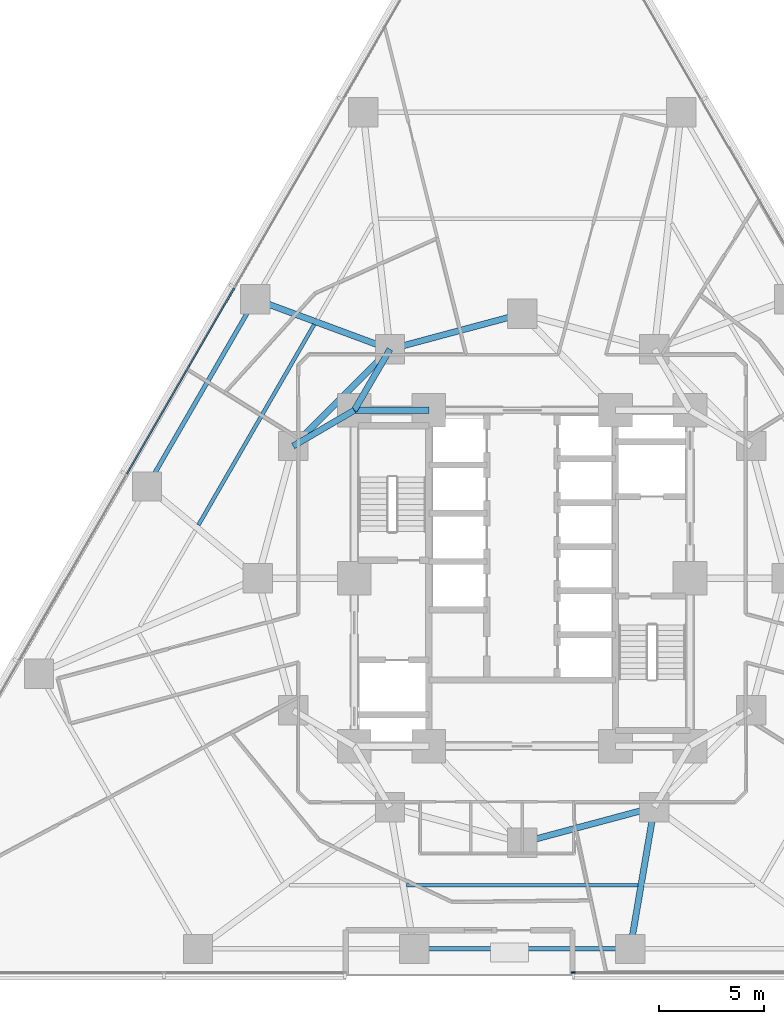
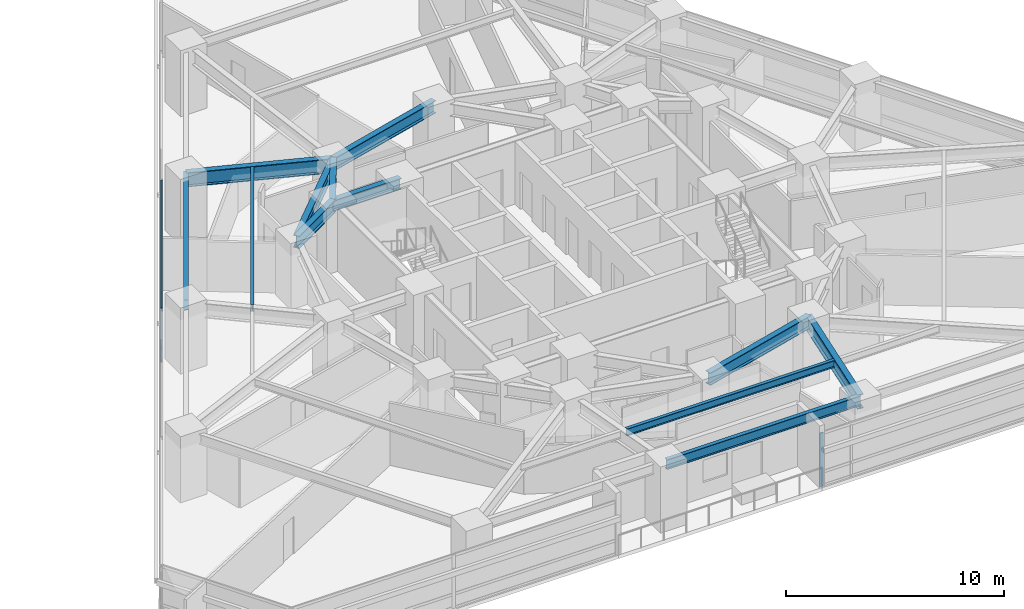
# One storey, part 3 of 16: 12 beams, 4 members, 2 elements without a shape of their own.
"""IFC4 building model written with IfcOpenShell, lengths in metres."""

from ifc_helpers import new_model, si_unit, direction, frame, origin, origin_2d, place, context, subcontext, project, spatial, rectangle, i_section, extrude, material, layer, layer_set, material_profile, profile_set, type_object, element, aggregate, save


model = new_model("IFC4")

# Units and contexts
model_context = context("Model", 3, precision=1e-05, world=origin(), true_north=direction((0.0, 1.0)))
body_context = subcontext(model_context, "Body", "Model", "MODEL_VIEW")
ifc_project = project(units=[si_unit("LENGTHUNIT", "METRE"), si_unit("AREAUNIT", "SQUARE_METRE"), si_unit("VOLUMEUNIT", "CUBIC_METRE"), si_unit("PLANEANGLEUNIT", "RADIAN"), si_unit("MASSUNIT", "GRAM", prefix="KILO")], contexts=[model_context])

# Site, building, storey
site_placement = place(None, origin())
site = spatial("IfcSite", under=ifc_project, at=site_placement, CompositionType="ELEMENT")
building_placement = place(site_placement, origin())
building = spatial("IfcBuilding", under=site, at=building_placement, Name="Terralouvre Media Tower", CompositionType="ELEMENT")
storey_placement = place(building_placement, frame((0.0, 0.0, 29.699951171875)))
storey = spatial("IfcBuildingStorey", under=building, at=storey_placement, Name="L06", CompositionType="ELEMENT", Elevation=29.699951171875)

# Beams
ifc_material_1 = material(Name="Structural steel S355J2", Category="steel")
ifc_material_profile_1 = material_profile(ifc_material_1, i_section(OverallWidth=0.179931640625, OverallDepth=0.39990234375, WebThickness=0.008544921875, FlangeThickness=0.013427734375, at=origin_2d()), Name="IPE 400")
ifc_profile_set_1 = profile_set([ifc_material_profile_1], Name="Structural steel S355J2")
beam_type_1 = type_object("IfcBeamType", Name="Composite Floor Joist J-IPE400 (IPE 400)", PredefinedType="JOIST", material=ifc_profile_set_1)
for number, where, z_axis, x_axis, name in (
    (1, (-5.517333984375, -14.627197265625, 3.300048828125), (1.0, 0.0, 0.0), (0.0, 1.0, 0.0), "L06 Framing Beam JT-L06-03"),
    (2, (-9.90869140625, 12.091796875, 3.300048828125), (-0.499996323086, -0.866027526641, 0.0), (0.866027526641, -0.499996323086, 0.0), "L06 Framing Beam JT-L06-11"),
):
    element("IfcBeam", number, at=place(storey_placement, frame(where, z_axis=z_axis, x_axis=x_axis)), inside=storey, type_object=beam_type_1, Name=name, PredefinedType="JOIST", context=body_context, shape_type="SweptSolid", body=[
        extrude(i_section(OverallWidth=0.179931640625, OverallDepth=0.39990234375, WebThickness=0.008544921875, FlangeThickness=0.013427734375, at=origin_2d()), origin(), (0.0, 0.0, 1.0), 11.03466796875),
    ])

# Curtain wall, members
ifc_material_2 = material(Name="Low-iron laminated double glazing with solar-control coating", Category="glass")
ifc_layer = layer(ifc_material_2, 0.1650390625, Name="Lower Media Tower Unitised Curtain Wall CW-02")
ifc_layer_set = layer_set([ifc_layer], Name="Low-iron laminated double glazing with solar-control coating")
curtain_wall_type = type_object("IfcCurtainWallType", Name="Lower Media Tower Unitised Curtain Wall CW-02", PredefinedType="NOTDEFINED", material=ifc_layer_set)
curtain_wall_1_placement = place(storey_placement, origin())
curtain_wall_1 = element("IfcCurtainWall", 3, at=curtain_wall_1_placement, inside=storey, type_object=curtain_wall_type, Name="L06 Facade Curtain Wall F2", PredefinedType="NOTDEFINED")
ifc_material_3 = material(Name="Anodised extruded aluminium 6063-T6", Category="aluminium")
ifc_material_profile_2 = material_profile(ifc_material_3, rectangle(XDim=0.074951171875, YDim=0.14990234375, at=origin_2d()), Name="ALU 75x150")
ifc_profile_set_2 = profile_set([ifc_material_profile_2], Name="Anodised extruded aluminium 6063-T6")
member_type_1 = type_object("IfcMemberType", Name="Curtain-Wall Horizontal Transom TR-150", PredefinedType="USERDEFINED", material=ifc_profile_set_2)
member_1_placement = place(storey_placement, frame((-13.72216796875, 13.825927734375, 0.03759765625), z_axis=(-0.50000905659, -0.866020174897, 0.0), x_axis=(0.866020174897, -0.50000905659, 0.0)))
member_1 = element("IfcMember", 4, at=member_1_placement, type_object=member_type_1, Name="CW-02 transom 3.1", ObjectType="TRANSOM", PredefinedType="USERDEFINED", context=body_context, shape_type="SweptSolid", body=[
    extrude(rectangle(XDim=0.074951171875, YDim=0.14990234375, at=origin_2d()), origin(), (0.0, 0.0, 1.0), 10.224853515625),
])
member_2_placement = place(storey_placement, frame((-13.72216796875, 13.825927734375, 0.800048828125), z_axis=(-0.50000905659, -0.866020174897, 0.0), x_axis=(0.866020174897, -0.50000905659, 0.0)))
member_2 = element("IfcMember", 5, at=member_2_placement, type_object=member_type_1, Name="CW-02 transom 3.2", ObjectType="TRANSOM", PredefinedType="USERDEFINED", context=body_context, shape_type="SweptSolid", body=[
    extrude(rectangle(XDim=0.074951171875, YDim=0.14990234375, at=origin_2d()), origin(), (0.0, 0.0, 1.0), 10.224853515625),
])
member_3_placement = place(storey_placement, frame((-13.72216796875, 13.825927734375, 2.962646484375), z_axis=(-0.50000905659, -0.866020174897, 0.0), x_axis=(0.866020174897, -0.50000905659, 0.0)))
member_3 = element("IfcMember", 6, at=member_3_placement, type_object=member_type_1, Name="CW-02 transom 3.3", ObjectType="TRANSOM", PredefinedType="USERDEFINED", context=body_context, shape_type="SweptSolid", body=[
    extrude(rectangle(XDim=0.074951171875, YDim=0.14990234375, at=origin_2d()), origin(), (0.0, 0.0, 1.0), 10.224853515625),
])
aggregate(curtain_wall_1, [member_1, member_2, member_3])

# Curtain wall, member
curtain_wall_2_placement = place(storey_placement, origin())
curtain_wall_2 = element("IfcCurtainWall", 7, at=curtain_wall_2_placement, inside=storey, type_object=curtain_wall_type, Name="L06 Right Flank Curtain Wall F0", PredefinedType="NOTDEFINED")
ifc_material_4 = material(Name="Anodised extruded aluminium 6063-T6", Category="aluminium")
ifc_material_profile_3 = material_profile(ifc_material_4, rectangle(XDim=0.074951171875, YDim=0.179931640625, at=origin_2d()), Name="ALU 75x180")
ifc_profile_set_3 = profile_set([ifc_material_profile_3], Name="Anodised extruded aluminium 6063-T6")
member_type_2 = type_object("IfcMemberType", Name="Curtain-Wall Vertical Mullion ML-180", PredefinedType="MULLION", material=ifc_profile_set_3)
member_4_placement = place(storey_placement, frame((2.4375, -18.796875, 0.0), z_axis=(0.0, 0.0, 1.0), x_axis=(0.0, 1.0, 0.0)))
member_4 = element("IfcMember", 8, at=member_4_placement, type_object=member_type_2, Name="CW-02 mullion 1", PredefinedType="MULLION", context=body_context, shape_type="SweptSolid", body=[
    extrude(rectangle(XDim=0.074951171875, YDim=0.179931640625, at=origin_2d()), origin(), (0.0, 0.0, 1.0), 3.0),
])
aggregate(curtain_wall_2, [member_4])

# Beams
ifc_material_5 = material(Name="Structural steel S355J2", Category="steel")
ifc_material_profile_4 = material_profile(ifc_material_5, i_section(OverallWidth=0.2099609375, OverallDepth=0.550048828125, WebThickness=0.010986328125, FlangeThickness=0.01708984375, at=origin_2d()), Name="IPE 550")
ifc_profile_set_4 = profile_set([ifc_material_profile_4], Name="Structural steel S355J2")
beam_type_2 = type_object("IfcBeamType", Name="Perimeter Spandrel Beam SPB-550 (IPE 550)", PredefinedType="SPANDREL", material=ifc_profile_set_4)
beam_1_placement = place(storey_placement, frame((-5.14990234375, -17.666748046875, 3.22509765625), z_axis=(1.0, 0.0, 0.0), x_axis=(0.0, 1.0, 0.0)))
element("IfcBeam", 9, at=beam_1_placement, inside=storey, type_object=beam_type_2, Name="L06 Framing Beam BM-L06-PR03", PredefinedType="SPANDREL", context=body_context, shape_type="SweptSolid", body=[
    extrude(i_section(OverallWidth=0.2099609375, OverallDepth=0.550048828125, WebThickness=0.010986328125, FlangeThickness=0.01708984375, at=origin_2d()), origin(), (0.0, 0.0, 1.0), 10.2998046875),
])
beam_2_placement = place(storey_placement, frame((-12.724853515625, 13.29345703125, 3.22509765625), z_axis=(-0.49998850195, -0.866032042085, 0.0), x_axis=(0.866032042085, -0.49998850195, 0.0)))
element("IfcBeam", 10, at=beam_2_placement, inside=storey, type_object=beam_type_2, Name="L06 Framing Beam BM-L06-PR11", PredefinedType="SPANDREL", context=body_context, shape_type="SweptSolid", body=[
    extrude(i_section(OverallWidth=0.2099609375, OverallDepth=0.550048828125, WebThickness=0.010986328125, FlangeThickness=0.01708984375, at=origin_2d()), origin(), (0.0, 0.0, 1.0), 10.300048828125),
])
ifc_material_6 = material(Name="Structural steel S460M", Category="steel")
ifc_material_profile_5 = material_profile(ifc_material_6, i_section(OverallWidth=0.300048828125, OverallDepth=0.60009765625, WebThickness=0.015380859375, FlangeThickness=0.030029296875, at=origin_2d()), Name="HEB 600")
ifc_profile_set_5 = profile_set([ifc_material_profile_5], Name="Structural steel S460M")
beam_type_3 = type_object("IfcBeamType", Name="Primary Floor Girder B-HEB600 (HEB 600)", PredefinedType="BEAM", material=ifc_profile_set_5)
beam_3_placement = place(storey_placement, frame((-4.449951171875, 8.0, 3.199951171875), z_axis=(-1.0, 0.0, 0.0), x_axis=(0.0, -1.0, 0.0)))
element("IfcBeam", 11, at=beam_3_placement, inside=storey, type_object=beam_type_3, Name="L06 Framing Beam BM-L06-CPR08", PredefinedType="BEAM", context=body_context, shape_type="SweptSolid", body=[
    extrude(i_section(OverallWidth=0.300048828125, OverallDepth=0.60009765625, WebThickness=0.015380859375, FlangeThickness=0.030029296875, at=origin_2d()), origin(), (0.0, 0.0, 1.0), 3.550048828125),
])
ifc_material_7 = material(Name="Structural steel S460M", Category="steel")
ifc_material_profile_6 = material_profile(ifc_material_7, i_section(OverallWidth=0.300048828125, OverallDepth=0.699951171875, WebThickness=0.01708984375, FlangeThickness=0.031982421875, at=origin_2d()), Name="HEB 700")
ifc_profile_set_6 = profile_set([ifc_material_profile_6], Name="Structural steel S460M")
beam_type_4 = type_object("IfcBeamType", Name="Primary Floor Girder B-HEB700 (HEB 700)", PredefinedType="BEAM", material=ifc_profile_set_6)
for number, where, z_axis, x_axis, name in (
    (12, (0.0, -12.60009765625, 3.150146484375), (0.965920481897, 0.258838989821, 0.0), (-0.258838989821, 0.965920481897, 0.0), "L06 Framing Beam BM-L06-MR03"),
    (13, (0.0, 12.60009765625, 3.150146484375), (-0.965920481897, -0.258838989821, 0.0), (0.258838989821, -0.965920481897, 0.0), "L06 Framing Beam BM-L06-MR09"),
):
    element("IfcBeam", number, at=place(storey_placement, frame(where, z_axis=z_axis, x_axis=x_axis)), inside=storey, type_object=beam_type_4, Name=name, PredefinedType="BEAM", context=body_context, shape_type="SweptSolid", body=[
        extrude(i_section(OverallWidth=0.300048828125, OverallDepth=0.699951171875, WebThickness=0.01708984375, FlangeThickness=0.031982421875, at=origin_2d()), origin(), (0.0, 0.0, 1.0), 6.522216796875),
    ])
beam_4_placement = place(storey_placement, frame((-6.300048828125, 10.911865234375, 3.150146484375), z_axis=(-0.707106781187, -0.707106781187, 0.0), x_axis=(0.707106781187, -0.707106781187, 0.0)))
element("IfcBeam", 14, at=beam_4_placement, inside=storey, type_object=beam_type_4, Name="L06 Framing Beam BM-L06-MR10", PredefinedType="BEAM", context=body_context, shape_type="SweptSolid", body=[
    extrude(i_section(OverallWidth=0.300048828125, OverallDepth=0.699951171875, WebThickness=0.01708984375, FlangeThickness=0.031982421875, at=origin_2d()), origin(), (0.0, 0.0, 1.0), 6.52197265625),
])
for number, where, z_axis, x_axis, name in (
    (15, (-8.0, 8.0, 3.150146484375), (0.504172629717, 0.863602894532, 0.0), (-0.863602894532, 0.504172629717, 0.0), "L06 Framing Beam BM-L06-CM10"),
    (16, (-8.0, 8.0, 3.150146484375), (-0.863602894532, -0.504172629717, 0.0), (0.504172629717, -0.863602894532, 0.0), "L06 Framing Beam BM-L06-CM11"),
):
    element("IfcBeam", number, at=place(storey_placement, frame(where, z_axis=z_axis, x_axis=x_axis)), inside=storey, type_object=beam_type_4, Name=name, PredefinedType="BEAM", context=body_context, shape_type="SweptSolid", body=[
        extrude(i_section(OverallWidth=0.300048828125, OverallDepth=0.699951171875, WebThickness=0.01708984375, FlangeThickness=0.031982421875, at=origin_2d()), origin(), (0.0, 0.0, 1.0), 3.371826171875),
    ])
ifc_material_8 = material(Name="Structural steel S460M", Category="steel")
ifc_material_profile_7 = material_profile(ifc_material_8, i_section(OverallWidth=0.300048828125, OverallDepth=0.800048828125, WebThickness=0.017578125, FlangeThickness=0.032958984375, at=origin_2d()), Name="HEB 800")
ifc_profile_set_7 = profile_set([ifc_material_profile_7], Name="Structural steel S460M")
beam_type_5 = type_object("IfcBeamType", Name="Primary Floor Girder B-HEB800 (HEB 800)", PredefinedType="BEAM", material=ifc_profile_set_7)
for number, where, z_axis, x_axis, name in (
    (17, (6.300048828125, -10.911865234375, 3.10009765625), (-0.167853129882, -0.98581201392, 0.0), (0.98581201392, -0.167853129882, 0.0), "L06 Framing Beam BM-L06-RD04"),
    (18, (-6.300048828125, 10.911865234375, 3.10009765625), (-0.937652019179, 0.347575446386, 0.0), (-0.347575446386, -0.937652019179, 0.0), "L06 Framing Beam BM-L06-RD11"),
):
    element("IfcBeam", number, at=place(storey_placement, frame(where, z_axis=z_axis, x_axis=x_axis)), inside=storey, type_object=beam_type_5, Name=name, PredefinedType="BEAM", context=body_context, shape_type="SweptSolid", body=[
        extrude(i_section(OverallWidth=0.300048828125, OverallDepth=0.800048828125, WebThickness=0.017578125, FlangeThickness=0.032958984375, at=origin_2d()), origin(), (0.0, 0.0, 1.0), 6.85205078125),
    ])

save(model, "model.ifc")
